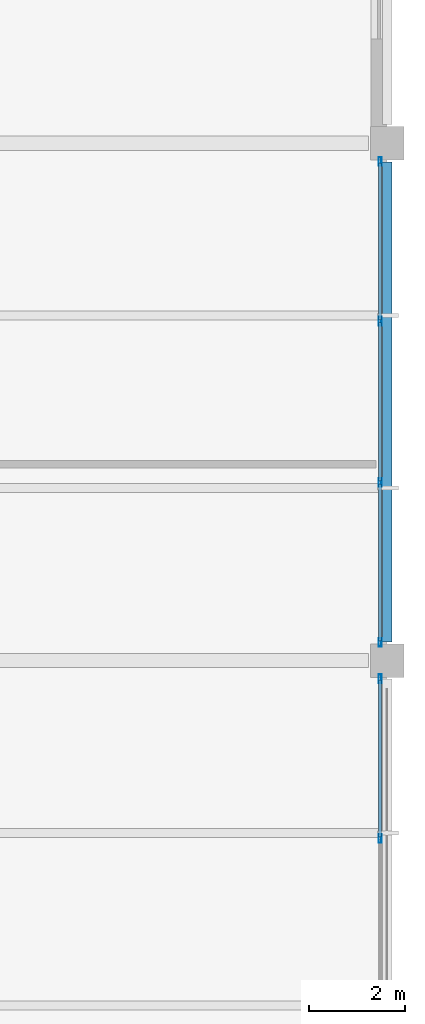
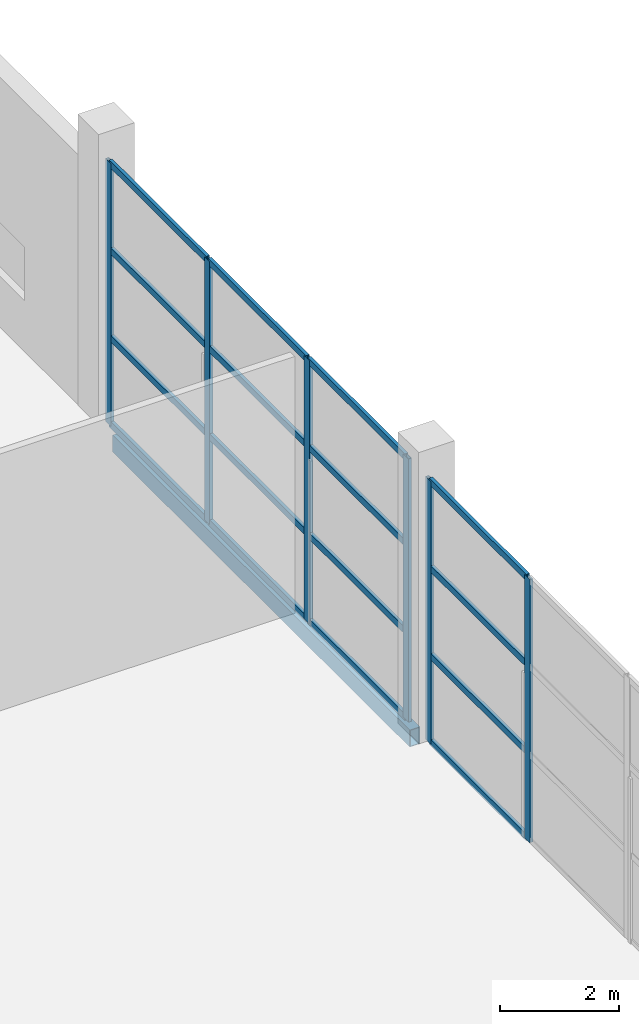
# One storey, part 144 of 191: 22 members, 1 beam, 2 elements without a shape of their own.
"""IFC4 building model written with IfcOpenShell, lengths in metres."""

from ifc_helpers import new_model, si_unit, direction, frame, origin, origin_2d, place, context, subcontext, project, spatial, hollow_rectangle, extrude, material, layer, layer_set, material_profile, profile_set, type_object, element, aggregate, save


model = new_model("IFC4")

# Units and contexts
model_context = context("Model", 3, precision=1e-05, world=origin(), true_north=direction((0.0, 1.0)))
body_context = subcontext(model_context, "Body", "Model", "MODEL_VIEW")
ifc_project = project(units=[si_unit("LENGTHUNIT", "METRE"), si_unit("AREAUNIT", "SQUARE_METRE"), si_unit("VOLUMEUNIT", "CUBIC_METRE"), si_unit("PLANEANGLEUNIT", "RADIAN"), si_unit("MASSUNIT", "GRAM", prefix="KILO")], contexts=[model_context])

# Site, building, storey
site_placement = place(None, origin())
site = spatial("IfcSite", under=ifc_project, at=site_placement, CompositionType="ELEMENT")
building_placement = place(site_placement, origin())
building = spatial("IfcBuilding", under=site, at=building_placement, Name="Tamarisk Ironworks Central Station", CompositionType="ELEMENT")
storey_placement = place(building_placement, frame((0.0, 0.0, 6.60009765625)))
storey = spatial("IfcBuildingStorey", under=building, at=storey_placement, Name="L01", CompositionType="ELEMENT", Elevation=6.60009765625)

# Beam
ifc_material_1 = material(Name="Structural steel S355J2", Category="steel")
ifc_material_profile_1 = material_profile(ifc_material_1, hollow_rectangle(XDim=0.199951171875, YDim=0.35009765625, WallThickness=0.012451171875, at=origin_2d()), Name="RHS 350x200x12.5")
ifc_profile_set_1 = profile_set([ifc_material_profile_1], Name="Structural steel S355J2")
beam_type = type_object("IfcBeamType", Name="BM-SP01", PredefinedType="SPANDREL", material=ifc_profile_set_1)
beam_placement = place(storey_placement, frame((180.0, 101.18798828125, -0.425048828125), z_axis=(0.0, 1.0, 0.0), x_axis=(-1.0, 0.0, 0.0)))
element("IfcBeam", 1, at=beam_placement, inside=storey, type_object=beam_type, Name="L01 primary girder Y-0295", PredefinedType="SPANDREL", context=body_context, shape_type="SweptSolid", body=[
    extrude(hollow_rectangle(XDim=0.199951171875, YDim=0.35009765625, WallThickness=0.012451171875, at=origin_2d()), origin(), (0.0, 0.0, 1.0), 10.02392578125),
])

# Curtain wall, members
ifc_material_2 = material(Name="Anodized aluminium alloy 6063-T6", Category="aluminium")
ifc_layer = layer(ifc_material_2, 0.179931640625)
ifc_layer_set = layer_set([ifc_layer], Name="Anodized aluminium alloy 6063-T6")
curtain_wall_type = type_object("IfcCurtainWallType", Name="CW-16", PredefinedType="USERDEFINED", material=ifc_layer_set)
curtain_wall_1_placement = place(storey_placement, origin())
curtain_wall_1 = element("IfcCurtainWall", 2, at=curtain_wall_1_placement, inside=storey, type_object=curtain_wall_type, Name="Operations L01 east facade curtain wall 090", ObjectType="GLAZED CURTAIN WALL", PredefinedType="USERDEFINED")
ifc_material_profile_2 = material_profile(ifc_material_2, hollow_rectangle(XDim=0.06494140625, YDim=0.179931640625, WallThickness=0.00390625, at=origin_2d()), Name="ALUM 180x65")
ifc_profile_set_2 = profile_set([ifc_material_profile_2], Name="Anodized aluminium alloy 6063-T6")
member_type_1 = type_object("IfcMemberType", Name="CWM-02", PredefinedType="MULLION", material=ifc_profile_set_2)
member_1_placement = place(storey_placement, frame((179.85009765625, 97.083984375, 0.0), z_axis=(0.0, 0.0, 1.0), x_axis=(-1.0, 0.0, 0.0)))
member_1 = element("IfcMember", 3, at=member_1_placement, type_object=member_type_1, Name="CW16 mullion 3", PredefinedType="MULLION", context=body_context, shape_type="SweptSolid", body=[
    extrude(hollow_rectangle(XDim=0.06494140625, YDim=0.179931640625, WallThickness=0.00390625, at=origin_2d()), origin(), (0.0, 0.0, 1.0), 5.419921875),
])
member_2_placement = place(storey_placement, frame((179.85009765625, 100.41943359375, 0.0), z_axis=(0.0, 0.0, 1.0), x_axis=(-1.0, 0.0, 0.0)))
member_2 = element("IfcMember", 4, at=member_2_placement, type_object=member_type_1, Name="CW16 mullion 4", PredefinedType="MULLION", context=body_context, shape_type="SweptSolid", body=[
    extrude(hollow_rectangle(XDim=0.06494140625, YDim=0.179931640625, WallThickness=0.00390625, at=origin_2d()), origin(), (0.0, 0.0, 1.0), 5.419921875),
])

curtain_wall_2_placement = place(storey_placement, origin())
curtain_wall_2 = element("IfcCurtainWall", 5, at=curtain_wall_2_placement, inside=storey, type_object=curtain_wall_type, Name="Operations L01 east facade curtain wall 100", ObjectType="GLAZED CURTAIN WALL", PredefinedType="USERDEFINED")
member_3_placement = place(storey_placement, frame((179.85009765625, 101.180419921875, 0.0), z_axis=(0.0, 0.0, 1.0), x_axis=(-1.0, 0.0, 0.0)))
member_3 = element("IfcMember", 6, at=member_3_placement, type_object=member_type_1, Name="CW16 mullion 1", PredefinedType="MULLION", context=body_context, shape_type="SweptSolid", body=[
    extrude(hollow_rectangle(XDim=0.06494140625, YDim=0.179931640625, WallThickness=0.00390625, at=origin_2d()), origin(), (0.0, 0.0, 1.0), 5.419921875),
])
member_4_placement = place(storey_placement, frame((179.85009765625, 104.51611328125, 0.0), z_axis=(0.0, 0.0, 1.0), x_axis=(-1.0, 0.0, 0.0)))
member_4 = element("IfcMember", 7, at=member_4_placement, type_object=member_type_1, Name="CW16 mullion 2", PredefinedType="MULLION", context=body_context, shape_type="SweptSolid", body=[
    extrude(hollow_rectangle(XDim=0.06494140625, YDim=0.179931640625, WallThickness=0.00390625, at=origin_2d()), origin(), (0.0, 0.0, 1.0), 5.419921875),
])
member_5_placement = place(storey_placement, frame((179.85009765625, 107.884033203125, 0.0), z_axis=(0.0, 0.0, 1.0), x_axis=(-1.0, 0.0, 0.0)))
member_5 = element("IfcMember", 8, at=member_5_placement, type_object=member_type_1, Name="CW16 mullion 3", PredefinedType="MULLION", context=body_context, shape_type="SweptSolid", body=[
    extrude(hollow_rectangle(XDim=0.06494140625, YDim=0.179931640625, WallThickness=0.00390625, at=origin_2d()), origin(), (0.0, 0.0, 1.0), 5.419921875),
])
member_6_placement = place(storey_placement, frame((179.85009765625, 111.219482421875, 0.0), z_axis=(0.0, 0.0, 1.0), x_axis=(-1.0, 0.0, 0.0)))
member_6 = element("IfcMember", 9, at=member_6_placement, type_object=member_type_1, Name="CW16 mullion 4", PredefinedType="MULLION", context=body_context, shape_type="SweptSolid", body=[
    extrude(hollow_rectangle(XDim=0.06494140625, YDim=0.179931640625, WallThickness=0.00390625, at=origin_2d()), origin(), (0.0, 0.0, 1.0), 5.419921875),
])

# Member
ifc_material_profile_3 = material_profile(ifc_material_2, hollow_rectangle(XDim=0.06494140625, YDim=0.135009765625, WallThickness=0.00341796875, at=origin_2d()), Name="ALUM 135x65")
ifc_profile_set_3 = profile_set([ifc_material_profile_3], Name="Anodized aluminium alloy 6063-T6")
member_type_2 = type_object("IfcMemberType", Name="CWT-02", PredefinedType="USERDEFINED", material=ifc_profile_set_3)
member_7_placement = place(storey_placement, frame((179.85009765625, 97.112548828125, 0.032470703125), z_axis=(0.0, 1.0, 0.0), x_axis=(-1.0, 0.0, 0.0)))
member_7 = element("IfcMember", 10, at=member_7_placement, type_object=member_type_2, Name="CW16 transom 3.1", ObjectType="TRANSOM", PredefinedType="USERDEFINED", context=body_context, shape_type="SweptSolid", body=[
    extrude(hollow_rectangle(XDim=0.06494140625, YDim=0.135009765625, WallThickness=0.00341796875, at=origin_2d()), origin(), (0.0, 0.0, 1.0), 3.278564453125),
])

member_8_placement = place(storey_placement, frame((179.85009765625, 97.112548828125, 1.806640625), z_axis=(0.0, 1.0, 0.0), x_axis=(-1.0, 0.0, 0.0)))
member_8 = element("IfcMember", 11, at=member_8_placement, type_object=member_type_2, Name="CW16 transom 3.2", ObjectType="TRANSOM", PredefinedType="USERDEFINED", context=body_context, shape_type="SweptSolid", body=[
    extrude(hollow_rectangle(XDim=0.06494140625, YDim=0.135009765625, WallThickness=0.00341796875, at=origin_2d()), origin(), (0.0, 0.0, 1.0), 3.278564453125),
])

member_9_placement = place(storey_placement, frame((179.85009765625, 97.112548828125, 3.61328125), z_axis=(0.0, 1.0, 0.0), x_axis=(-1.0, 0.0, 0.0)))
member_9 = element("IfcMember", 12, at=member_9_placement, type_object=member_type_2, Name="CW16 transom 3.3", ObjectType="TRANSOM", PredefinedType="USERDEFINED", context=body_context, shape_type="SweptSolid", body=[
    extrude(hollow_rectangle(XDim=0.06494140625, YDim=0.135009765625, WallThickness=0.00341796875, at=origin_2d()), origin(), (0.0, 0.0, 1.0), 3.278564453125),
])

member_10_placement = place(storey_placement, frame((179.85009765625, 97.112548828125, 5.387451171875), z_axis=(0.0, 1.0, 0.0), x_axis=(-1.0, 0.0, 0.0)))
member_10 = element("IfcMember", 13, at=member_10_placement, type_object=member_type_2, Name="CW16 transom 3.4", ObjectType="TRANSOM", PredefinedType="USERDEFINED", context=body_context, shape_type="SweptSolid", body=[
    extrude(hollow_rectangle(XDim=0.06494140625, YDim=0.135009765625, WallThickness=0.00341796875, at=origin_2d()), origin(), (0.0, 0.0, 1.0), 3.278564453125),
])

aggregate(curtain_wall_1, [member_1, member_2, member_7, member_8, member_9, member_10])

member_11_placement = place(storey_placement, frame((179.85009765625, 101.208984375, 0.032470703125), z_axis=(0.0, 1.0, 0.0), x_axis=(-1.0, 0.0, 0.0)))
member_11 = element("IfcMember", 14, at=member_11_placement, type_object=member_type_2, Name="CW16 transom 1.1", ObjectType="TRANSOM", PredefinedType="USERDEFINED", context=body_context, shape_type="SweptSolid", body=[
    extrude(hollow_rectangle(XDim=0.06494140625, YDim=0.135009765625, WallThickness=0.00341796875, at=origin_2d()), origin(), (0.0, 0.0, 1.0), 3.278564453125),
])

member_12_placement = place(storey_placement, frame((179.85009765625, 101.208984375, 1.806640625), z_axis=(0.0, 1.0, 0.0), x_axis=(-1.0, 0.0, 0.0)))
member_12 = element("IfcMember", 15, at=member_12_placement, type_object=member_type_2, Name="CW16 transom 1.2", ObjectType="TRANSOM", PredefinedType="USERDEFINED", context=body_context, shape_type="SweptSolid", body=[
    extrude(hollow_rectangle(XDim=0.06494140625, YDim=0.135009765625, WallThickness=0.00341796875, at=origin_2d()), origin(), (0.0, 0.0, 1.0), 3.278564453125),
])

member_13_placement = place(storey_placement, frame((179.85009765625, 101.208984375, 3.61328125), z_axis=(0.0, 1.0, 0.0), x_axis=(-1.0, 0.0, 0.0)))
member_13 = element("IfcMember", 16, at=member_13_placement, type_object=member_type_2, Name="CW16 transom 1.3", ObjectType="TRANSOM", PredefinedType="USERDEFINED", context=body_context, shape_type="SweptSolid", body=[
    extrude(hollow_rectangle(XDim=0.06494140625, YDim=0.135009765625, WallThickness=0.00341796875, at=origin_2d()), origin(), (0.0, 0.0, 1.0), 3.278564453125),
])

member_14_placement = place(storey_placement, frame((179.85009765625, 101.208984375, 5.387451171875), z_axis=(0.0, 1.0, 0.0), x_axis=(-1.0, 0.0, 0.0)))
member_14 = element("IfcMember", 17, at=member_14_placement, type_object=member_type_2, Name="CW16 transom 1.4", ObjectType="TRANSOM", PredefinedType="USERDEFINED", context=body_context, shape_type="SweptSolid", body=[
    extrude(hollow_rectangle(XDim=0.06494140625, YDim=0.135009765625, WallThickness=0.00341796875, at=origin_2d()), origin(), (0.0, 0.0, 1.0), 3.278564453125),
])

member_15_placement = place(storey_placement, frame((179.85009765625, 104.54443359375, 0.032470703125), z_axis=(0.0, 1.0, 0.0), x_axis=(-1.0, 0.0, 0.0)))
member_15 = element("IfcMember", 18, at=member_15_placement, type_object=member_type_2, Name="CW16 transom 2.1", ObjectType="TRANSOM", PredefinedType="USERDEFINED", context=body_context, shape_type="SweptSolid", body=[
    extrude(hollow_rectangle(XDim=0.06494140625, YDim=0.135009765625, WallThickness=0.00341796875, at=origin_2d()), origin(), (0.0, 0.0, 1.0), 3.31103515625),
])

member_16_placement = place(storey_placement, frame((179.85009765625, 104.54443359375, 1.806640625), z_axis=(0.0, 1.0, 0.0), x_axis=(-1.0, 0.0, 0.0)))
member_16 = element("IfcMember", 19, at=member_16_placement, type_object=member_type_2, Name="CW16 transom 2.2", ObjectType="TRANSOM", PredefinedType="USERDEFINED", context=body_context, shape_type="SweptSolid", body=[
    extrude(hollow_rectangle(XDim=0.06494140625, YDim=0.135009765625, WallThickness=0.00341796875, at=origin_2d()), origin(), (0.0, 0.0, 1.0), 3.31103515625),
])

member_17_placement = place(storey_placement, frame((179.85009765625, 104.54443359375, 3.61328125), z_axis=(0.0, 1.0, 0.0), x_axis=(-1.0, 0.0, 0.0)))
member_17 = element("IfcMember", 20, at=member_17_placement, type_object=member_type_2, Name="CW16 transom 2.3", ObjectType="TRANSOM", PredefinedType="USERDEFINED", context=body_context, shape_type="SweptSolid", body=[
    extrude(hollow_rectangle(XDim=0.06494140625, YDim=0.135009765625, WallThickness=0.00341796875, at=origin_2d()), origin(), (0.0, 0.0, 1.0), 3.31103515625),
])

member_18_placement = place(storey_placement, frame((179.85009765625, 104.54443359375, 5.387451171875), z_axis=(0.0, 1.0, 0.0), x_axis=(-1.0, 0.0, 0.0)))
member_18 = element("IfcMember", 21, at=member_18_placement, type_object=member_type_2, Name="CW16 transom 2.4", ObjectType="TRANSOM", PredefinedType="USERDEFINED", context=body_context, shape_type="SweptSolid", body=[
    extrude(hollow_rectangle(XDim=0.06494140625, YDim=0.135009765625, WallThickness=0.00341796875, at=origin_2d()), origin(), (0.0, 0.0, 1.0), 3.31103515625),
])

member_19_placement = place(storey_placement, frame((179.85009765625, 107.91259765625, 0.032470703125), z_axis=(0.0, 1.0, 0.0), x_axis=(-1.0, 0.0, 0.0)))
member_19 = element("IfcMember", 22, at=member_19_placement, type_object=member_type_2, Name="CW16 transom 3.1", ObjectType="TRANSOM", PredefinedType="USERDEFINED", context=body_context, shape_type="SweptSolid", body=[
    extrude(hollow_rectangle(XDim=0.06494140625, YDim=0.135009765625, WallThickness=0.00341796875, at=origin_2d()), origin(), (0.0, 0.0, 1.0), 3.2783203125),
])

member_20_placement = place(storey_placement, frame((179.85009765625, 107.91259765625, 1.806640625), z_axis=(0.0, 1.0, 0.0), x_axis=(-1.0, 0.0, 0.0)))
member_20 = element("IfcMember", 23, at=member_20_placement, type_object=member_type_2, Name="CW16 transom 3.2", ObjectType="TRANSOM", PredefinedType="USERDEFINED", context=body_context, shape_type="SweptSolid", body=[
    extrude(hollow_rectangle(XDim=0.06494140625, YDim=0.135009765625, WallThickness=0.00341796875, at=origin_2d()), origin(), (0.0, 0.0, 1.0), 3.2783203125),
])

member_21_placement = place(storey_placement, frame((179.85009765625, 107.91259765625, 3.61328125), z_axis=(0.0, 1.0, 0.0), x_axis=(-1.0, 0.0, 0.0)))
member_21 = element("IfcMember", 24, at=member_21_placement, type_object=member_type_2, Name="CW16 transom 3.3", ObjectType="TRANSOM", PredefinedType="USERDEFINED", context=body_context, shape_type="SweptSolid", body=[
    extrude(hollow_rectangle(XDim=0.06494140625, YDim=0.135009765625, WallThickness=0.00341796875, at=origin_2d()), origin(), (0.0, 0.0, 1.0), 3.2783203125),
])

member_22_placement = place(storey_placement, frame((179.85009765625, 107.91259765625, 5.387451171875), z_axis=(0.0, 1.0, 0.0), x_axis=(-1.0, 0.0, 0.0)))
member_22 = element("IfcMember", 25, at=member_22_placement, type_object=member_type_2, Name="CW16 transom 3.4", ObjectType="TRANSOM", PredefinedType="USERDEFINED", context=body_context, shape_type="SweptSolid", body=[
    extrude(hollow_rectangle(XDim=0.06494140625, YDim=0.135009765625, WallThickness=0.00341796875, at=origin_2d()), origin(), (0.0, 0.0, 1.0), 3.2783203125),
])

aggregate(curtain_wall_2, [member_3, member_4, member_5, member_6, member_11, member_12, member_13, member_14, member_15, member_16, member_17, member_18, member_19, member_20, member_21, member_22])

save(model, "model.ifc")
